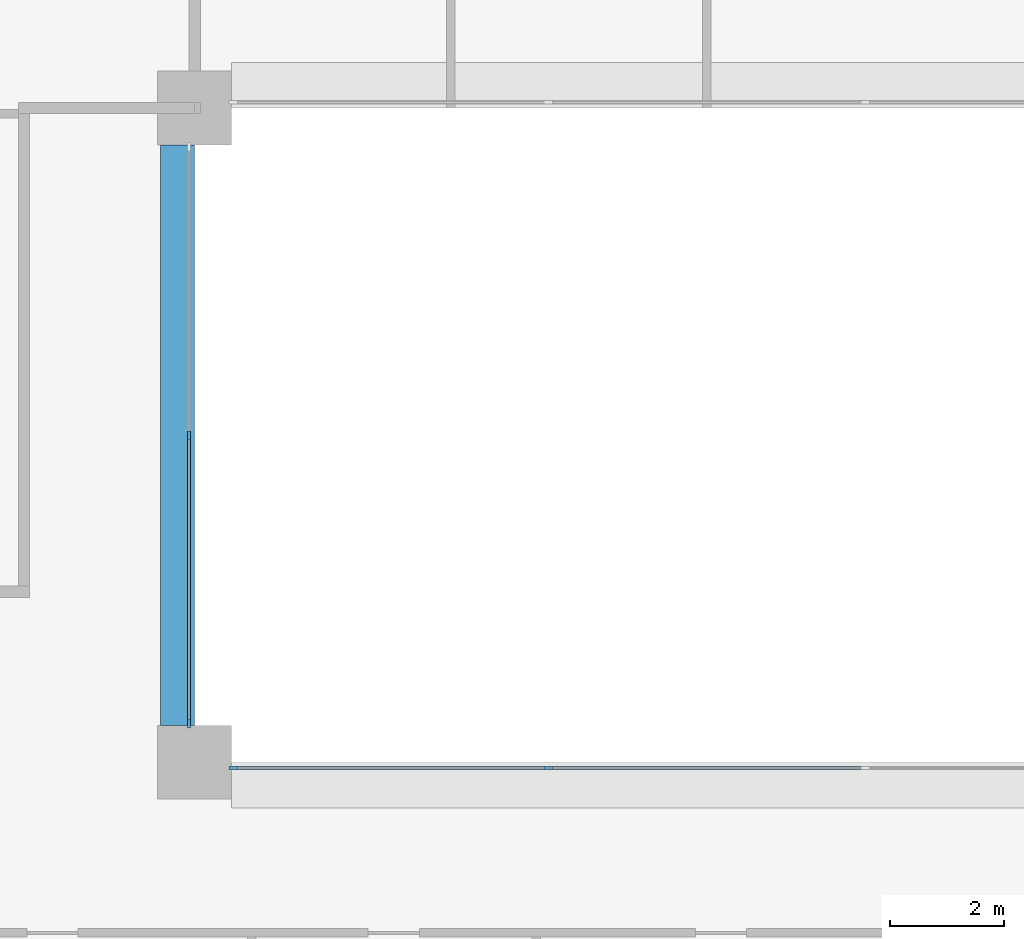
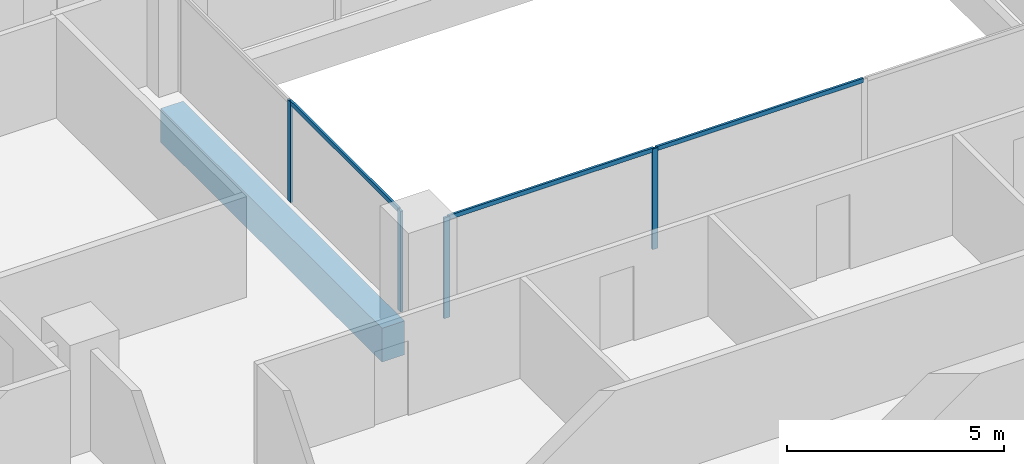
# One storey, part 2 of 16: 7 members, 1 beam, 2 elements without a shape of their own.
"""IFC4 building model written with IfcOpenShell, lengths in metres."""

from ifc_helpers import new_model, si_unit, direction, frame, origin, origin_2d, place, context, subcontext, project, spatial, rectangle, extrude, material, layer, layer_set, material_profile, profile_set, type_object, element, aggregate, save


model = new_model("IFC4")

# Units and contexts
model_context = context("Model", 3, precision=1e-05, world=origin(), true_north=direction((0.0, 1.0)))
body_context = subcontext(model_context, "Body", "Model", "MODEL_VIEW")
ifc_project = project(units=[si_unit("LENGTHUNIT", "METRE"), si_unit("AREAUNIT", "SQUARE_METRE"), si_unit("VOLUMEUNIT", "CUBIC_METRE"), si_unit("PLANEANGLEUNIT", "RADIAN"), si_unit("MASSUNIT", "GRAM", prefix="KILO")], contexts=[model_context])

# Site, building, storey
site_placement = place(None, origin())
site = spatial("IfcSite", under=ifc_project, at=site_placement, CompositionType="ELEMENT")
building_placement = place(site_placement, origin())
building = spatial("IfcBuilding", under=site, at=building_placement, Name="Brigalow Station Residences", CompositionType="ELEMENT")
storey_placement = place(building_placement, frame((0.0, 0.0, 121.35009765625)))
storey = spatial("IfcBuildingStorey", under=building, at=storey_placement, Name="L35", CompositionType="ELEMENT", Elevation=121.35009765625)

# Beam
ifc_material_1 = material(Name="Concrete C65", Category="concrete")
ifc_material_profile_1 = material_profile(ifc_material_1, rectangle(XDim=0.60009765625, YDim=0.949951171875, at=origin_2d()), Name="RC600x950")
ifc_profile_set_1 = profile_set([ifc_material_profile_1], Name="Concrete C65")
beam_type = type_object("IfcBeamType", Name="ATRIUM EDGE GIRDER 600x950 C65", PredefinedType="BEAM", material=ifc_profile_set_1)
beam_placement = place(storey_placement, frame((26.699951171875, 24.64990234375, -0.795166015625), z_axis=(0.0, 1.0, 0.0), x_axis=(-1.0, 0.0, 0.0)))
element("IfcBeam", 1, at=beam_placement, inside=storey, type_object=beam_type, Name="ATRIUM EDGE GIRDER 3 L35", PredefinedType="BEAM", context=body_context, shape_type="SweptSolid", body=[
    extrude(rectangle(XDim=0.60009765625, YDim=0.949951171875, at=origin_2d()), origin(), (0.0, 0.0, 1.0), 10.2001953125),
])

# Curtain wall, members
ifc_material_2 = material(Name="Aluminium", Category="aluminium")
ifc_layer = layer(ifc_material_2, 0.14990234375)
ifc_layer_set = layer_set([ifc_layer], Name="ATRIUM FIRE-RATED GLAZING CURTAIN WALL")
curtain_wall_type = type_object("IfcCurtainWallType", Name="ATRIUM FIRE-RATED GLAZING CURTAIN WALL", PredefinedType="NOTDEFINED", material=ifc_layer_set)
curtain_wall_1_placement = place(storey_placement, origin())
curtain_wall_1 = element("IfcCurtainWall", 2, at=curtain_wall_1_placement, inside=storey, type_object=curtain_wall_type, Name="L35/cw/atrium-S", PredefinedType="NOTDEFINED")
ifc_material_3 = material(Name="Aluminium", Category="aluminium")
ifc_material_profile_2 = material_profile(ifc_material_3, rectangle(XDim=0.06005859375, YDim=0.14990234375, at=origin_2d()), Name="ATRIUM FIRE-RATED GLAZING MULLION 60x150")
ifc_profile_set_2 = profile_set([ifc_material_profile_2], Name="Aluminium")
member_type_1 = type_object("IfcMemberType", Name="ATRIUM FIRE-RATED GLAZING MULLION 60x150", PredefinedType="MULLION", material=ifc_profile_set_2)
member_1_placement = place(storey_placement, frame((27.679931640625, 23.89990234375, 0.0), z_axis=(0.0, 0.0, 1.0), x_axis=(0.0, 1.0, 0.0)))
member_1 = element("IfcMember", 3, at=member_1_placement, type_object=member_type_1, Name="L35/cw/atrium-S/M00", PredefinedType="MULLION", context=body_context, shape_type="SweptSolid", body=[
    extrude(rectangle(XDim=0.06005859375, YDim=0.14990234375, at=origin_2d()), origin(), (0.0, 0.0, 1.0), 2.829833984375),
])
member_2_placement = place(storey_placement, frame((33.216796875, 23.89990234375, 0.0), z_axis=(0.0, 0.0, 1.0), x_axis=(0.0, 1.0, 0.0)))
member_2 = element("IfcMember", 4, at=member_2_placement, type_object=member_type_1, Name="L35/cw/atrium-S/M01", PredefinedType="MULLION", context=body_context, shape_type="SweptSolid", body=[
    extrude(rectangle(XDim=0.06005859375, YDim=0.14990234375, at=origin_2d()), origin(), (0.0, 0.0, 1.0), 2.829833984375),
])

curtain_wall_2_placement = place(storey_placement, origin())
curtain_wall_2 = element("IfcCurtainWall", 5, at=curtain_wall_2_placement, inside=storey, type_object=curtain_wall_type, Name="L35/cw/atrium-W", PredefinedType="NOTDEFINED")
member_3_placement = place(storey_placement, frame((26.89990234375, 29.75, 0.0), z_axis=(0.0, 0.0, 1.0), x_axis=(1.0, 0.0, 0.0)))
member_3 = element("IfcMember", 6, at=member_3_placement, type_object=member_type_1, Name="L35/cw/atrium-W/M01", PredefinedType="MULLION", context=body_context, shape_type="SweptSolid", body=[
    extrude(rectangle(XDim=0.06005859375, YDim=0.14990234375, at=origin_2d()), origin(), (0.0, 0.0, 1.0), 2.829833984375),
])
member_4_placement = place(storey_placement, frame((26.89990234375, 24.679931640625, 0.0), z_axis=(0.0, 0.0, 1.0), x_axis=(1.0, 0.0, 0.0)))
member_4 = element("IfcMember", 7, at=member_4_placement, type_object=member_type_1, Name="L35/cw/atrium-W/M02", PredefinedType="MULLION", context=body_context, shape_type="SweptSolid", body=[
    extrude(rectangle(XDim=0.06005859375, YDim=0.14990234375, at=origin_2d()), origin(), (0.0, 0.0, 1.0), 2.829833984375),
])

# Member
ifc_material_4 = material(Name="Aluminium", Category="aluminium")
ifc_material_profile_3 = material_profile(ifc_material_4, rectangle(XDim=0.06005859375, YDim=0.1201171875, at=origin_2d()), Name="ATRIUM FIRE-RATED GLAZING TRANSOM 60x120")
ifc_profile_set_3 = profile_set([ifc_material_profile_3], Name="Aluminium")
member_type_2 = type_object("IfcMemberType", Name="ATRIUM FIRE-RATED GLAZING TRANSOM 60x120", PredefinedType="USERDEFINED", material=ifc_profile_set_3)
member_5_placement = place(storey_placement, frame((27.7099609375, 23.89990234375, 2.7998046875), z_axis=(1.0, 0.0, 0.0), x_axis=(0.0, 1.0, 0.0)))
member_5 = element("IfcMember", 8, at=member_5_placement, type_object=member_type_2, Name="L35/cw/atrium-S/T00-00", ObjectType="TRANSOM", PredefinedType="USERDEFINED", context=body_context, shape_type="SweptSolid", body=[
    extrude(rectangle(XDim=0.06005859375, YDim=0.1201171875, at=origin_2d()), origin(), (0.0, 0.0, 1.0), 5.476806640625),
])

member_6_placement = place(storey_placement, frame((33.24658203125, 23.89990234375, 2.7998046875), z_axis=(1.0, 0.0, 0.0), x_axis=(0.0, 1.0, 0.0)))
member_6 = element("IfcMember", 9, at=member_6_placement, type_object=member_type_2, Name="L35/cw/atrium-S/T01-00", ObjectType="TRANSOM", PredefinedType="USERDEFINED", context=body_context, shape_type="SweptSolid", body=[
    extrude(rectangle(XDim=0.06005859375, YDim=0.1201171875, at=origin_2d()), origin(), (0.0, 0.0, 1.0), 5.5068359375),
])

aggregate(curtain_wall_1, [member_1, member_2, member_5, member_6])

member_7_placement = place(storey_placement, frame((26.89990234375, 29.719970703125, 2.7998046875), z_axis=(0.0, -1.0, 0.0), x_axis=(1.0, 0.0, 0.0)))
member_7 = element("IfcMember", 10, at=member_7_placement, type_object=member_type_2, Name="L35/cw/atrium-W/T01-00", ObjectType="TRANSOM", PredefinedType="USERDEFINED", context=body_context, shape_type="SweptSolid", body=[
    extrude(rectangle(XDim=0.06005859375, YDim=0.1201171875, at=origin_2d()), origin(), (0.0, 0.0, 1.0), 5.010009765625),
])

aggregate(curtain_wall_2, [member_3, member_4, member_7])

save(model, "model.ifc")
